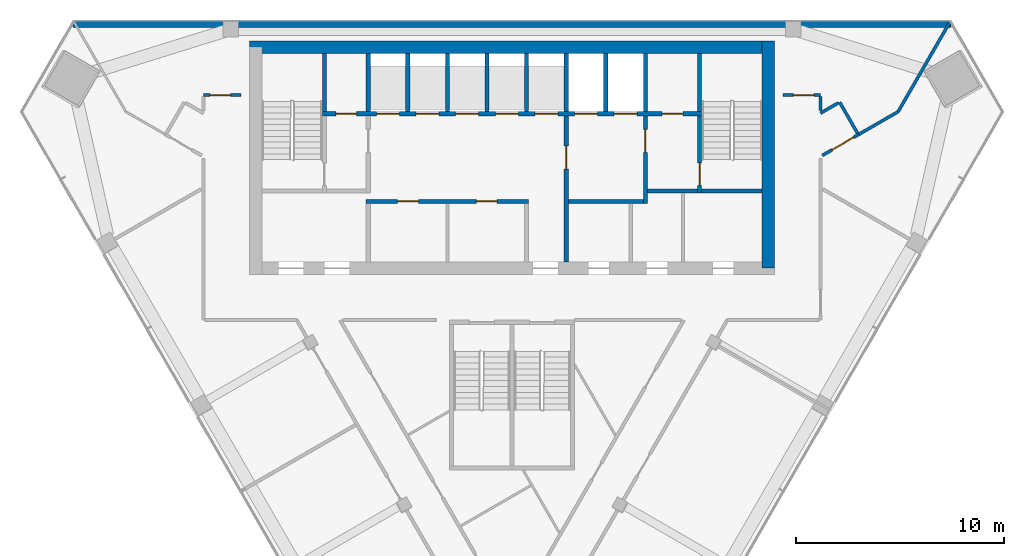
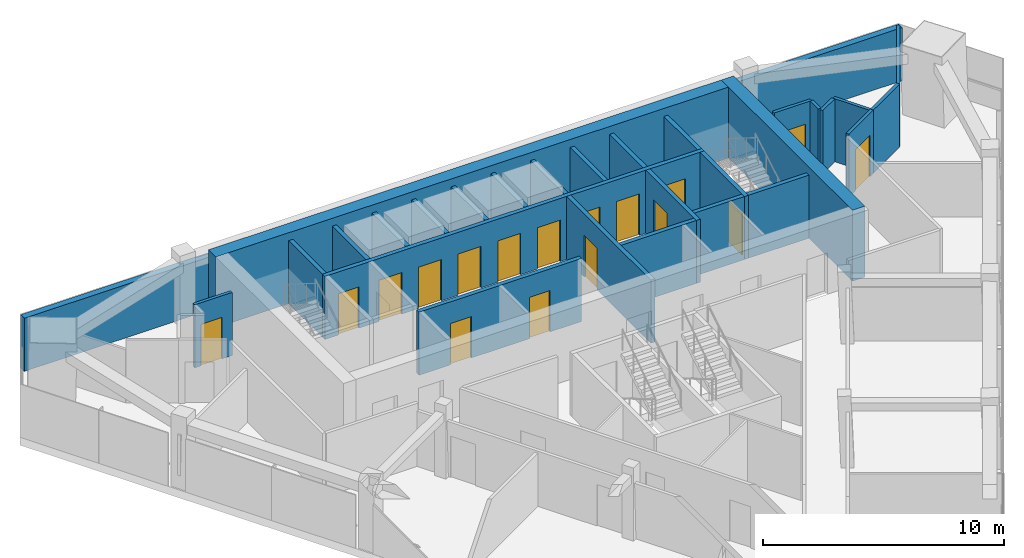
# One storey, part 9 of 12: 29 walls, 17 doors, 17 openings.
"""IFC4 building model written with IfcOpenShell, lengths in metres."""

from ifc_helpers import new_model, si_unit, direction, frame, frame_2d, origin, place, context, subcontext, project, spatial, rectangle, extrude, material, layer, layer_set, type_object, element, fill, save


model = new_model("IFC4")

# Units and contexts
model_context = context("Model", 3, precision=1e-05, world=origin(), true_north=direction((0.0, 1.0)))
body_context = subcontext(model_context, "Body", "Model", "MODEL_VIEW")
ifc_project = project(units=[si_unit("LENGTHUNIT", "METRE"), si_unit("AREAUNIT", "SQUARE_METRE"), si_unit("VOLUMEUNIT", "CUBIC_METRE"), si_unit("PLANEANGLEUNIT", "RADIAN"), si_unit("MASSUNIT", "GRAM", prefix="KILO")], contexts=[model_context])

# Site, building, storey
site_placement = place(None, origin())
site = spatial("IfcSite", under=ifc_project, at=site_placement, CompositionType="ELEMENT")
building_placement = place(site_placement, origin())
building = spatial("IfcBuilding", under=site, at=building_placement, Name="Altiplano Prism Tower", CompositionType="ELEMENT")
storey_placement = place(building_placement, frame((0.0, 0.0, 257.199951171875)))
storey = spatial("IfcBuildingStorey", under=building, at=storey_placement, Name="L66", CompositionType="ELEMENT", Elevation=257.199951171875)

# Walls
ifc_material_1 = material(Name="Concrete C60/75", Category="concrete")
ifc_layer_1 = layer(ifc_material_1, 0.60009765625)
ifc_layer_set_1 = layer_set([ifc_layer_1], Name="Concrete C60/75")
wall_type_1 = type_object("IfcWallType", Name="Core wall 600", PredefinedType="SHEAR", material=ifc_layer_set_1)
wall_1_placement = place(storey_placement, frame((97.300048828125, 93.10009765625, 0.0), z_axis=(0.0, 0.0, 1.0), x_axis=(0.0, 1.0, 0.0)))
element("IfcWall", 1, at=wall_1_placement, inside=storey, type_object=wall_type_1, Name="Core wall E L66", PredefinedType="SHEAR", context=body_context, shape_type="SweptSolid", body=[
    extrude(rectangle(XDim=10.89990234375, YDim=0.60009765625, at=frame_2d((5.449951171875, 0.0))), origin(), (0.0, 0.0, 1.0), 3.60009765625),
])
wall_2_placement = place(storey_placement, frame((97.300048828125, 103.699951171875, 0.0), z_axis=(0.0, 0.0, 1.0), x_axis=(-1.0, 0.0, 0.0)))
element("IfcWall", 2, at=wall_2_placement, inside=storey, type_object=wall_type_1, Name="Core wall N L66", PredefinedType="SHEAR", context=body_context, shape_type="SweptSolid", body=[
    extrude(rectangle(XDim=24.900146484375, YDim=0.60009765625, at=frame_2d((12.4501953125, 0.0))), origin(), (0.0, 0.0, 1.0), 3.60009765625),
])

# Wall, opening, door
ifc_material_2 = material(Name="Plasterboard on steel stud", Category="steel")
ifc_layer_2 = layer(ifc_material_2, 0.14990234375)
ifc_layer_set_2 = layer_set([ifc_layer_2], Name="Plasterboard on steel stud")
wall_type_2 = type_object("IfcWallType", Name="Partition 150 corridor", PredefinedType="PARTITIONING", material=ifc_layer_set_2)
wall_3_placement = place(storey_placement, frame((99.885009765625, 98.5, 0.0), z_axis=(0.0, 0.0, 1.0), x_axis=(0.866010470582, 0.500025864173, 0.0)))
wall_3 = element("IfcWall", 3, at=wall_3_placement, inside=storey, type_object=wall_type_2, Name="Partition P06 L66 009", PredefinedType="PARTITIONING", context=body_context, shape_type="SweptSolid", body=[
    extrude(rectangle(XDim=2.02001953125, YDim=0.14990234375, at=frame_2d((1.010009765625, 0.0))), origin(), (0.0, 0.0, 1.0), 3.199951171875),
])
opening_1_placement = place(wall_3_placement, frame((0.537109375, 0.0, 0.0)))
opening_1 = element("IfcOpeningElement", 4, at=opening_1_placement, cuts=wall_3, Name="Opening D2134", PredefinedType="OPENING", context=body_context, shape_type="SweptSolid", body=[
    extrude(rectangle(XDim=1.199951171875, YDim=2.10009765625, at=frame_2d((0.60009765625, 1.050048828125))), frame((0.0, 0.08544921875, 0.0), z_axis=(0.0, -1.0, 0.0), x_axis=(1.0, 0.0, 0.0)), (0.0, 0.0, 1.0), 0.1708984375),
])
ifc_material_3 = material(Name="Timber", Category="wood")
door_type_1 = type_object("IfcDoorType", Name="Shared room door 1200 x 2100", OperationType="NOTDEFINED", PredefinedType="NOTDEFINED", material=ifc_material_3)
door_1_placement = place(opening_1_placement, origin())
door_1 = element("IfcDoor", 5, at=door_1_placement, inside=storey, type_object=door_type_1, Name="Door D2134", OperationType="SINGLE_SWING_RIGHT", OverallHeight=2.10009765625, OverallWidth=1.199951171875, PredefinedType="NOTDEFINED", context=body_context, shape_type="SweptSolid", body=[
    extrude(rectangle(XDim=1.199951171875, YDim=2.10009765625, at=frame_2d((0.60009765625, 1.050048828125))), frame((0.0, 0.02490234375, 0.0), z_axis=(0.0, -1.0, 0.0), x_axis=(1.0, 0.0, 0.0)), (0.0, 0.0, 1.0), 0.050048828125),
])
fill(opening_1, door_1)

wall_4_placement = place(storey_placement, frame((72.0, 101.39990234375, 0.0), z_axis=(0.0, 0.0, 1.0), x_axis=(-1.0, 0.0, 0.0)))
wall_4 = element("IfcWall", 6, at=wall_4_placement, inside=storey, type_object=wall_type_2, Name="Partition P06 L66 010", PredefinedType="PARTITIONING", context=body_context, shape_type="SweptSolid", body=[
    extrude(rectangle(XDim=1.800048828125, YDim=0.14990234375, at=frame_2d((0.89990234375, 0.0))), origin(), (0.0, 0.0, 1.0), 3.199951171875),
])
opening_2_placement = place(wall_4_placement, frame((0.49609375, 0.0, 0.0)))
opening_2 = element("IfcOpeningElement", 7, at=opening_2_placement, cuts=wall_4, Name="Opening D2135", PredefinedType="OPENING", context=body_context, shape_type="SweptSolid", body=[
    extrude(rectangle(XDim=1.0, YDim=2.10009765625, at=frame_2d((0.5, 1.050048828125))), frame((0.0, 0.08544921875, 0.0), z_axis=(0.0, -1.0, 0.0), x_axis=(1.0, 0.0, 0.0)), (0.0, 0.0, 1.0), 0.1708984375),
])
door_type_2 = type_object("IfcDoorType", Name="Room door 1000 x 2100", OperationType="NOTDEFINED", PredefinedType="NOTDEFINED", material=ifc_material_3)
door_2_placement = place(opening_2_placement, origin())
door_2 = element("IfcDoor", 8, at=door_2_placement, inside=storey, type_object=door_type_2, Name="Door D2135", OperationType="SINGLE_SWING_LEFT", OverallHeight=2.10009765625, OverallWidth=1.0, PredefinedType="NOTDEFINED", context=body_context, shape_type="SweptSolid", body=[
    extrude(rectangle(XDim=1.0, YDim=2.10009765625, at=frame_2d((0.5, 1.050048828125))), frame((0.0, 0.02490234375, 0.0), z_axis=(0.0, -1.0, 0.0), x_axis=(1.0, 0.0, 0.0)), (0.0, 0.0, 1.0), 0.050048828125),
])
fill(opening_2, door_2)

# Walls
wall_5_placement = place(storey_placement, frame((101.57958984375, 99.56494140625, 0.0), z_axis=(0.0, 0.0, 1.0), x_axis=(-0.500020560727, 0.866013532718, 0.0)))
element("IfcWall", 9, at=wall_5_placement, inside=storey, type_object=wall_type_2, Name="Partition P06 L66 014", PredefinedType="PARTITIONING", context=body_context, shape_type="SweptSolid", body=[
    extrude(rectangle(XDim=1.72509765625, YDim=0.14990234375, at=frame_2d((0.862548828125, 0.0))), origin(), (0.0, 0.0, 1.0), 3.199951171875),
])
wall_6_placement = place(storey_placement, frame((100.652099609375, 101.021240234375, 0.0), z_axis=(0.0, 0.0, 1.0), x_axis=(-0.866020293397, -0.500008851346, 0.0)))
element("IfcWall", 10, at=wall_6_placement, inside=storey, type_object=wall_type_2, Name="Partition P06 L66 015", PredefinedType="PARTITIONING", context=body_context, shape_type="SweptSolid", body=[
    extrude(rectangle(XDim=0.98388671875, YDim=0.14990234375, at=frame_2d((0.491943359375, 0.0))), origin(), (0.0, 0.0, 1.0), 3.199951171875),
])
wall_7_placement = place(storey_placement, frame((99.800048828125, 100.659423828125, 0.0), z_axis=(0.0, 0.0, 1.0), x_axis=(0.0, 1.0, 0.0)))
element("IfcWall", 11, at=wall_7_placement, inside=storey, type_object=wall_type_2, Name="Partition P06 L66 016", PredefinedType="PARTITIONING", context=body_context, shape_type="SweptSolid", body=[
    extrude(rectangle(XDim=0.66552734375, YDim=0.14990234375, at=frame_2d((0.332763671875, 0.0))), origin(), (0.0, 0.0, 1.0), 3.199951171875),
])

# Wall, opening, door
wall_8_placement = place(storey_placement, frame((99.800048828125, 101.39990234375, 0.0), z_axis=(0.0, 0.0, 1.0), x_axis=(-1.0, 0.0, 0.0)))
wall_8 = element("IfcWall", 12, at=wall_8_placement, inside=storey, type_object=wall_type_2, Name="Partition P06 L66 017", PredefinedType="PARTITIONING", context=body_context, shape_type="SweptSolid", body=[
    extrude(rectangle(XDim=1.800048828125, YDim=0.14990234375, at=frame_2d((0.89990234375, 0.0))), origin(), (0.0, 0.0, 1.0), 3.199951171875),
])
opening_3_placement = place(wall_8_placement, frame((0.303955078125, 0.0, 0.0)))
opening_3 = element("IfcOpeningElement", 13, at=opening_3_placement, cuts=wall_8, Name="Opening D2136", PredefinedType="OPENING", context=body_context, shape_type="SweptSolid", body=[
    extrude(rectangle(XDim=1.0, YDim=2.10009765625, at=frame_2d((0.5, 1.050048828125))), frame((0.0, 0.08544921875, 0.0), z_axis=(0.0, -1.0, 0.0), x_axis=(1.0, 0.0, 0.0)), (0.0, 0.0, 1.0), 0.1708984375),
])
door_type_3 = type_object("IfcDoorType", Name="Store door 1000 x 2100", OperationType="NOTDEFINED", PredefinedType="NOTDEFINED", material=ifc_material_3)
door_3_placement = place(opening_3_placement, origin())
door_3 = element("IfcDoor", 14, at=door_3_placement, inside=storey, type_object=door_type_3, Name="Door D2136", OperationType="SINGLE_SWING_RIGHT", OverallHeight=2.10009765625, OverallWidth=1.0, PredefinedType="NOTDEFINED", context=body_context, shape_type="SweptSolid", body=[
    extrude(rectangle(XDim=1.0, YDim=2.10009765625, at=frame_2d((0.5, 1.050048828125))), frame((0.0, 0.02490234375, 0.0), z_axis=(0.0, -1.0, 0.0), x_axis=(1.0, 0.0, 0.0)), (0.0, 0.0, 1.0), 0.050048828125),
])
fill(opening_3, door_3)

# Walls
ifc_layer_3 = layer(ifc_material_2, 0.14990234375)
ifc_layer_set_3 = layer_set([ifc_layer_3], Name="Plasterboard on steel stud")
wall_type_3 = type_object("IfcWallType", Name="Partition 150 party", PredefinedType="PARTITIONING", material=ifc_layer_set_3)
wall_9_placement = place(storey_placement, frame((106.00732421875, 104.89990234375, 0.0), z_axis=(0.0, 0.0, 1.0), x_axis=(-0.500012022864, -0.866018462269, 0.0)))
element("IfcWall", 15, at=wall_9_placement, inside=storey, type_object=wall_type_3, Name="Partition P01 L66 034", PredefinedType="PARTITIONING", context=body_context, shape_type="SweptSolid", body=[
    extrude(rectangle(XDim=4.962890625, YDim=0.14990234375, at=frame_2d((2.4814453125, 0.0))), origin(), (0.0, 0.0, 1.0), 2.699951171875),
])
wall_10_placement = place(storey_placement, frame((103.52587890625, 100.60205078125, 0.0), z_axis=(0.0, 0.0, 1.0), x_axis=(-0.866039875853, -0.499974932805, 0.0)))
element("IfcWall", 16, at=wall_10_placement, inside=storey, type_object=wall_type_3, Name="Partition P01 L66 035", PredefinedType="PARTITIONING", context=body_context, shape_type="SweptSolid", body=[
    extrude(rectangle(XDim=2.2041015625, YDim=0.14990234375, at=frame_2d((1.10205078125, 0.0))), origin(), (0.0, 0.0, 1.0), 3.199951171875),
])
ifc_layer_4 = layer(ifc_material_1, 0.199951171875)
ifc_layer_set_4 = layer_set([ifc_layer_4], Name="Concrete C60/75")
wall_type_4 = type_object("IfcWallType", Name="Shaft wall 200", PredefinedType="SOLIDWALL", material=ifc_layer_set_4)
for number, where, z_axis, x_axis, name in (
    (17, (78.10009765625, 100.60009765625, 0.0), (0.0, 0.0, 1.0), (0.0, 1.0, 0.0), "Shaft wall L66"),
    (18, (80.0, 100.60009765625, 0.0), (0.0, 0.0, 1.0), (0.0, 1.0, 0.0), "Shaft wall L66"),
    (19, (81.89990234375, 100.60009765625, 0.0), (0.0, 0.0, 1.0), (0.0, 1.0, 0.0), "Shaft wall L66"),
    (20, (83.800048828125, 100.60009765625, 0.0), (0.0, 0.0, 1.0), (0.0, 1.0, 0.0), "Shaft wall L66"),
    (21, (85.699951171875, 100.60009765625, 0.0), (0.0, 0.0, 1.0), (0.0, 1.0, 0.0), "Shaft wall L66"),
    (22, (87.60009765625, 100.60009765625, 0.0), (0.0, 0.0, 1.0), (0.0, 1.0, 0.0), "Shaft wall L66"),
    (23, (89.5, 100.60009765625, 0.0), (0.0, 0.0, 1.0), (0.0, 1.0, 0.0), "Shaft wall L66"),
    (24, (91.39990234375, 100.60009765625, 0.0), (0.0, 0.0, 1.0), (0.0, 1.0, 0.0), "Shaft wall L66"),
):
    element("IfcWall", number, at=place(storey_placement, frame(where, z_axis=z_axis, x_axis=x_axis)), inside=storey, type_object=wall_type_4, Name=name, PredefinedType="SOLIDWALL", context=body_context, shape_type="SweptSolid", body=[
        extrude(rectangle(XDim=2.7998046875, YDim=0.199951171875, at=frame_2d((1.39990234375, 0.0))), origin(), (0.0, 0.0, 1.0), 3.199951171875),
    ])

# Wall, opening, door
ifc_layer_5 = layer(ifc_material_1, 0.199951171875)
ifc_layer_set_5 = layer_set([ifc_layer_5], Name="Concrete C60/75")
wall_type_5 = type_object("IfcWallType", Name="Stair wall 200", PredefinedType="SOLIDWALL", material=ifc_layer_set_5)
wall_11_placement = place(storey_placement, frame((94.0, 96.699951171875, 0.0), z_axis=(0.0, 0.0, 1.0), x_axis=(0.0, 1.0, 0.0)))
wall_11 = element("IfcWall", 25, at=wall_11_placement, inside=storey, type_object=wall_type_5, Name="Stair wall L66", PredefinedType="SOLIDWALL", context=body_context, shape_type="SweptSolid", body=[
    extrude(rectangle(XDim=3.699951171875, YDim=0.199951171875, at=frame_2d((1.85009765625, 0.0))), origin(), (0.0, 0.0, 1.0), 3.199951171875),
])
opening_4_placement = place(wall_11_placement, frame((0.35009765625, 0.0, 0.0)))
opening_4 = element("IfcOpeningElement", 26, at=opening_4_placement, cuts=wall_11, Name="Opening D3503", PredefinedType="OPENING", context=body_context, shape_type="SweptSolid", body=[
    extrude(rectangle(XDim=1.10009765625, YDim=2.10009765625, at=frame_2d((0.550048828125, 1.050048828125))), frame((0.0, 0.1103515625, 0.0), z_axis=(0.0, -1.0, 0.0), x_axis=(1.0, 0.0, 0.0)), (0.0, 0.0, 1.0), 0.220947265625),
])
ifc_material_4 = material(Name="Fire-rated steel door", Category="steel")
door_type_4 = type_object("IfcDoorType", Name="Stair fire door 1100 x 2100", OperationType="NOTDEFINED", PredefinedType="NOTDEFINED", material=ifc_material_4)
door_4_placement = place(opening_4_placement, origin())
door_4 = element("IfcDoor", 27, at=door_4_placement, inside=storey, type_object=door_type_4, Name="Stair fire door D3503", OperationType="SINGLE_SWING_LEFT", OverallHeight=2.10009765625, OverallWidth=1.10009765625, PredefinedType="NOTDEFINED", context=body_context, shape_type="SweptSolid", body=[
    extrude(rectangle(XDim=1.10009765625, YDim=2.10009765625, at=frame_2d((0.550048828125, 1.050048828125))), frame((0.0, 0.02490234375, 0.0), z_axis=(0.0, -1.0, 0.0), x_axis=(1.0, 0.0, 0.0)), (0.0, 0.0, 1.0), 0.050048828125),
])
fill(opening_4, door_4)

# Wall
wall_12_placement = place(storey_placement, frame((94.10009765625, 96.800048828125, 0.0), z_axis=(0.0, 0.0, 1.0), x_axis=(1.0, 0.0, 0.0)))
element("IfcWall", 28, at=wall_12_placement, inside=storey, type_object=wall_type_5, Name="Stair wall L66", PredefinedType="SOLIDWALL", context=body_context, shape_type="SweptSolid", body=[
    extrude(rectangle(XDim=2.89990234375, YDim=0.199951171875, at=frame_2d((1.449951171875, 0.0))), origin(), (0.0, 0.0, 1.0), 3.199951171875),
])

# Wall, openings, doors
wall_13_placement = place(storey_placement, frame((75.89990234375, 100.5, 0.0), z_axis=(0.0, 0.0, 1.0), x_axis=(1.0, 0.0, 0.0)))
wall_13 = element("IfcWall", 29, at=wall_13_placement, inside=storey, type_object=wall_type_5, Name="Stair wall L66", PredefinedType="SOLIDWALL", context=body_context, shape_type="SweptSolid", body=[
    extrude(rectangle(XDim=18.2001953125, YDim=0.199951171875, at=frame_2d((9.10009765625, 0.0))), origin(), (0.0, 0.0, 1.0), 3.199951171875),
])
opening_5_placement = place(wall_13_placement, frame((2.60009765625, 0.0, 0.0)))
opening_5 = element("IfcOpeningElement", 30, at=opening_5_placement, cuts=wall_13, Name="Opening LD-HL1-L66", PredefinedType="OPENING", context=body_context, shape_type="SweptSolid", body=[
    extrude(rectangle(XDim=1.10009765625, YDim=2.10009765625, at=frame_2d((0.550048828125, 1.050048828125))), frame((0.0, 0.1103515625, 0.0), z_axis=(0.0, -1.0, 0.0), x_axis=(1.0, 0.0, 0.0)), (0.0, 0.0, 1.0), 0.220947265625),
])
opening_6_placement = place(wall_13_placement, frame((4.5, 0.0, 0.0)))
opening_6 = element("IfcOpeningElement", 31, at=opening_6_placement, cuts=wall_13, Name="Opening LD-HL2-L66", PredefinedType="OPENING", context=body_context, shape_type="SweptSolid", body=[
    extrude(rectangle(XDim=1.10009765625, YDim=2.10009765625, at=frame_2d((0.550048828125, 1.050048828125))), frame((0.0, 0.1103515625, 0.0), z_axis=(0.0, -1.0, 0.0), x_axis=(1.0, 0.0, 0.0)), (0.0, 0.0, 1.0), 0.220947265625),
])
opening_7_placement = place(wall_13_placement, frame((6.39990234375, 0.0, 0.0)))
opening_7 = element("IfcOpeningElement", 32, at=opening_7_placement, cuts=wall_13, Name="Opening LD-HL3-L66", PredefinedType="OPENING", context=body_context, shape_type="SweptSolid", body=[
    extrude(rectangle(XDim=1.10009765625, YDim=2.10009765625, at=frame_2d((0.550048828125, 1.050048828125))), frame((0.0, 0.1103515625, 0.0), z_axis=(0.0, -1.0, 0.0), x_axis=(1.0, 0.0, 0.0)), (0.0, 0.0, 1.0), 0.220947265625),
])
opening_8_placement = place(wall_13_placement, frame((8.300048828125, 0.0, 0.0)))
opening_8 = element("IfcOpeningElement", 33, at=opening_8_placement, cuts=wall_13, Name="Opening LD-HL4-L66", PredefinedType="OPENING", context=body_context, shape_type="SweptSolid", body=[
    extrude(rectangle(XDim=1.10009765625, YDim=2.10009765625, at=frame_2d((0.550048828125, 1.050048828125))), frame((0.0, 0.1103515625, 0.0), z_axis=(0.0, -1.0, 0.0), x_axis=(1.0, 0.0, 0.0)), (0.0, 0.0, 1.0), 0.220947265625),
])
opening_9_placement = place(wall_13_placement, frame((10.199951171875, 0.0, 0.0)))
opening_9 = element("IfcOpeningElement", 34, at=opening_9_placement, cuts=wall_13, Name="Opening LD-HL5-L66", PredefinedType="OPENING", context=body_context, shape_type="SweptSolid", body=[
    extrude(rectangle(XDim=1.10009765625, YDim=2.10009765625, at=frame_2d((0.550048828125, 1.050048828125))), frame((0.0, 0.1103515625, 0.0), z_axis=(0.0, -1.0, 0.0), x_axis=(1.0, 0.0, 0.0)), (0.0, 0.0, 1.0), 0.220947265625),
])
opening_10_placement = place(wall_13_placement, frame((12.10009765625, 0.0, 0.0)))
opening_10 = element("IfcOpeningElement", 35, at=opening_10_placement, cuts=wall_13, Name="Opening LD-FF1-L66", PredefinedType="OPENING", context=body_context, shape_type="SweptSolid", body=[
    extrude(rectangle(XDim=1.10009765625, YDim=2.10009765625, at=frame_2d((0.550048828125, 1.050048828125))), frame((0.0, 0.1103515625, 0.0), z_axis=(0.0, -1.0, 0.0), x_axis=(1.0, 0.0, 0.0)), (0.0, 0.0, 1.0), 0.220947265625),
])
opening_11_placement = place(wall_13_placement, frame((14.0, 0.0, 0.0)))
opening_11 = element("IfcOpeningElement", 36, at=opening_11_placement, cuts=wall_13, Name="Opening LD-FF2-L66", PredefinedType="OPENING", context=body_context, shape_type="SweptSolid", body=[
    extrude(rectangle(XDim=1.10009765625, YDim=2.10009765625, at=frame_2d((0.550048828125, 1.050048828125))), frame((0.0, 0.1103515625, 0.0), z_axis=(0.0, -1.0, 0.0), x_axis=(1.0, 0.0, 0.0)), (0.0, 0.0, 1.0), 0.220947265625),
])
opening_12_placement = place(wall_13_placement, frame((0.64990234375, 0.0, 0.0)))
opening_12 = element("IfcOpeningElement", 37, at=opening_12_placement, cuts=wall_13, Name="Opening D3510", PredefinedType="OPENING", context=body_context, shape_type="SweptSolid", body=[
    extrude(rectangle(XDim=1.0, YDim=2.10009765625, at=frame_2d((0.5, 1.050048828125))), frame((0.0, 0.1103515625, 0.0), z_axis=(0.0, -1.0, 0.0), x_axis=(1.0, 0.0, 0.0)), (0.0, 0.0, 1.0), 0.220947265625),
])
opening_13_placement = place(wall_13_placement, frame((16.300048828125, 0.0, 0.0)))
opening_13 = element("IfcOpeningElement", 38, at=opening_13_placement, cuts=wall_13, Name="Opening D3511", PredefinedType="OPENING", context=body_context, shape_type="SweptSolid", body=[
    extrude(rectangle(XDim=1.0, YDim=2.10009765625, at=frame_2d((0.5, 1.050048828125))), frame((0.0, 0.1103515625, 0.0), z_axis=(0.0, -1.0, 0.0), x_axis=(1.0, 0.0, 0.0)), (0.0, 0.0, 1.0), 0.220947265625),
])
door_type_5 = type_object("IfcDoorType", Name="Core room door 1000 x 2100", OperationType="NOTDEFINED", PredefinedType="NOTDEFINED", material=ifc_material_4)
door_5_placement = place(opening_12_placement, origin())
door_5 = element("IfcDoor", 39, at=door_5_placement, inside=storey, type_object=door_type_5, Name="Core room door D3510", OperationType="SINGLE_SWING_LEFT", OverallHeight=2.10009765625, OverallWidth=1.0, PredefinedType="NOTDEFINED", context=body_context, shape_type="SweptSolid", body=[
    extrude(rectangle(XDim=1.0, YDim=2.10009765625, at=frame_2d((0.5, 1.050048828125))), frame((0.0, 0.02490234375, 0.0), z_axis=(0.0, -1.0, 0.0), x_axis=(1.0, 0.0, 0.0)), (0.0, 0.0, 1.0), 0.050048828125),
])
fill(opening_12, door_5)
door_6_placement = place(opening_13_placement, origin())
door_6 = element("IfcDoor", 40, at=door_6_placement, inside=storey, type_object=door_type_5, Name="Core room door D3511", OperationType="SINGLE_SWING_RIGHT", OverallHeight=2.10009765625, OverallWidth=1.0, PredefinedType="NOTDEFINED", context=body_context, shape_type="SweptSolid", body=[
    extrude(rectangle(XDim=1.0, YDim=2.10009765625, at=frame_2d((0.5, 1.050048828125))), frame((0.0, 0.02490234375, 0.0), z_axis=(0.0, -1.0, 0.0), x_axis=(1.0, 0.0, 0.0)), (0.0, 0.0, 1.0), 0.050048828125),
])
fill(opening_13, door_6)
ifc_material_5 = material(Name="Stainless steel landing door", Category="steel")
door_type_6 = type_object("IfcDoorType", Name="Landing door 1100 x 2100", OperationType="NOTDEFINED", PredefinedType="NOTDEFINED", material=ifc_material_5)
door_7_placement = place(opening_5_placement, origin())
door_7 = element("IfcDoor", 41, at=door_7_placement, inside=storey, type_object=door_type_6, Name="Landing doors HL1", OperationType="SLIDING_TO_RIGHT", OverallHeight=2.10009765625, OverallWidth=1.10009765625, PredefinedType="NOTDEFINED", context=body_context, shape_type="SweptSolid", body=[
    extrude(rectangle(XDim=1.10009765625, YDim=2.10009765625, at=frame_2d((0.550048828125, 1.050048828125))), frame((0.0, 0.02490234375, 0.0), z_axis=(0.0, -1.0, 0.0), x_axis=(1.0, 0.0, 0.0)), (0.0, 0.0, 1.0), 0.050048828125),
])
fill(opening_5, door_7)
door_8_placement = place(opening_6_placement, origin())
door_8 = element("IfcDoor", 42, at=door_8_placement, inside=storey, type_object=door_type_6, Name="Landing doors HL2", OperationType="SLIDING_TO_LEFT", OverallHeight=2.10009765625, OverallWidth=1.10009765625, PredefinedType="NOTDEFINED", context=body_context, shape_type="SweptSolid", body=[
    extrude(rectangle(XDim=1.10009765625, YDim=2.10009765625, at=frame_2d((0.550048828125, 1.050048828125))), frame((0.0, 0.02490234375, 0.0), z_axis=(0.0, -1.0, 0.0), x_axis=(1.0, 0.0, 0.0)), (0.0, 0.0, 1.0), 0.050048828125),
])
fill(opening_6, door_8)
door_9_placement = place(opening_7_placement, origin())
door_9 = element("IfcDoor", 43, at=door_9_placement, inside=storey, type_object=door_type_6, Name="Landing doors HL3", OperationType="SLIDING_TO_RIGHT", OverallHeight=2.10009765625, OverallWidth=1.10009765625, PredefinedType="NOTDEFINED", context=body_context, shape_type="SweptSolid", body=[
    extrude(rectangle(XDim=1.10009765625, YDim=2.10009765625, at=frame_2d((0.550048828125, 1.050048828125))), frame((0.0, 0.02490234375, 0.0), z_axis=(0.0, -1.0, 0.0), x_axis=(1.0, 0.0, 0.0)), (0.0, 0.0, 1.0), 0.050048828125),
])
fill(opening_7, door_9)
door_10_placement = place(opening_8_placement, origin())
door_10 = element("IfcDoor", 44, at=door_10_placement, inside=storey, type_object=door_type_6, Name="Landing doors HL4", OperationType="SLIDING_TO_LEFT", OverallHeight=2.10009765625, OverallWidth=1.10009765625, PredefinedType="NOTDEFINED", context=body_context, shape_type="SweptSolid", body=[
    extrude(rectangle(XDim=1.10009765625, YDim=2.10009765625, at=frame_2d((0.550048828125, 1.050048828125))), frame((0.0, 0.02490234375, 0.0), z_axis=(0.0, -1.0, 0.0), x_axis=(1.0, 0.0, 0.0)), (0.0, 0.0, 1.0), 0.050048828125),
])
fill(opening_8, door_10)
door_11_placement = place(opening_9_placement, origin())
door_11 = element("IfcDoor", 45, at=door_11_placement, inside=storey, type_object=door_type_6, Name="Landing doors HL5", OperationType="SLIDING_TO_RIGHT", OverallHeight=2.10009765625, OverallWidth=1.10009765625, PredefinedType="NOTDEFINED", context=body_context, shape_type="SweptSolid", body=[
    extrude(rectangle(XDim=1.10009765625, YDim=2.10009765625, at=frame_2d((0.550048828125, 1.050048828125))), frame((0.0, 0.02490234375, 0.0), z_axis=(0.0, -1.0, 0.0), x_axis=(1.0, 0.0, 0.0)), (0.0, 0.0, 1.0), 0.050048828125),
])
fill(opening_9, door_11)
door_12_placement = place(opening_10_placement, origin())
door_12 = element("IfcDoor", 46, at=door_12_placement, inside=storey, type_object=door_type_6, Name="Landing doors FF1", OperationType="SLIDING_TO_RIGHT", OverallHeight=2.10009765625, OverallWidth=1.10009765625, PredefinedType="NOTDEFINED", context=body_context, shape_type="SweptSolid", body=[
    extrude(rectangle(XDim=1.10009765625, YDim=2.10009765625, at=frame_2d((0.550048828125, 1.050048828125))), frame((0.0, 0.02490234375, 0.0), z_axis=(0.0, -1.0, 0.0), x_axis=(1.0, 0.0, 0.0)), (0.0, 0.0, 1.0), 0.050048828125),
])
fill(opening_10, door_12)
door_13_placement = place(opening_11_placement, origin())
door_13 = element("IfcDoor", 47, at=door_13_placement, inside=storey, type_object=door_type_6, Name="Landing doors FF2", OperationType="SLIDING_TO_LEFT", OverallHeight=2.10009765625, OverallWidth=1.10009765625, PredefinedType="NOTDEFINED", context=body_context, shape_type="SweptSolid", body=[
    extrude(rectangle(XDim=1.10009765625, YDim=2.10009765625, at=frame_2d((0.550048828125, 1.050048828125))), frame((0.0, 0.02490234375, 0.0), z_axis=(0.0, -1.0, 0.0), x_axis=(1.0, 0.0, 0.0)), (0.0, 0.0, 1.0), 0.050048828125),
])
fill(opening_11, door_13)

# Walls
for number, where, z_axis, x_axis, name in (
    (48, (76.0, 100.60009765625, 0.0), (0.0, 0.0, 1.0), (0.0, 1.0, 0.0), "Stair wall L66"),
    (49, (94.0, 100.60009765625, 0.0), (0.0, 0.0, 1.0), (0.0, 1.0, 0.0), "Stair wall L66"),
):
    element("IfcWall", number, at=place(storey_placement, frame(where, z_axis=z_axis, x_axis=x_axis)), inside=storey, type_object=wall_type_5, Name=name, PredefinedType="SOLIDWALL", context=body_context, shape_type="SweptSolid", body=[
        extrude(rectangle(XDim=2.7998046875, YDim=0.199951171875, at=frame_2d((1.39990234375, 0.0))), origin(), (0.0, 0.0, 1.0), 3.199951171875),
    ])
ifc_material_6 = material(Name="Concrete C40", Category="concrete")
ifc_layer_6 = layer(ifc_material_6, 0.300048828125)
ifc_layer_set_6 = layer_set([ifc_layer_6], Name="Concrete C40")
wall_type_6 = type_object("IfcWallType", Name="Stone-clad external wall 300", PredefinedType="SOLIDWALL", material=ifc_layer_set_6)
wall_14_placement = place(storey_placement, frame((63.934814453125, 104.7900390625, 0.0), z_axis=(0.0, 0.0, 1.0), x_axis=(1.0, 0.0, 0.0)))
element("IfcWall", 50, at=wall_14_placement, inside=storey, type_object=wall_type_6, Name="External wall north face L66", PredefinedType="SOLIDWALL", context=body_context, shape_type="SweptSolid", body=[
    extrude(rectangle(XDim=42.13037109375, YDim=0.300048828125, at=frame_2d((21.065185546875, 0.0))), origin(), (0.0, 0.0, 1.0), 2.699951171875),
])

# Wall, opening, door
ifc_layer_7 = layer(ifc_material_1, 0.199951171875)
ifc_layer_set_7 = layer_set([ifc_layer_7], Name="Concrete C60/75")
wall_type_7 = type_object("IfcWallType", Name="Vestibule wall 200", PredefinedType="PARTITIONING", material=ifc_layer_set_7)
wall_15_placement = place(storey_placement, frame((87.60009765625, 93.39990234375, 0.0), z_axis=(0.0, 0.0, 1.0), x_axis=(0.0, 1.0, 0.0)))
wall_15 = element("IfcWall", 51, at=wall_15_placement, inside=storey, type_object=wall_type_7, Name="Vestibule wall L66", PredefinedType="PARTITIONING", context=body_context, shape_type="SweptSolid", body=[
    extrude(rectangle(XDim=7.0, YDim=0.199951171875, at=frame_2d((3.5, 0.0))), origin(), (0.0, 0.0, 1.0), 3.199951171875),
])
opening_14_placement = place(wall_15_placement, frame((4.449951171875, 0.0, 0.0)))
opening_14 = element("IfcOpeningElement", 52, at=opening_14_placement, cuts=wall_15, Name="Opening D3505", PredefinedType="OPENING", context=body_context, shape_type="SweptSolid", body=[
    extrude(rectangle(XDim=1.10009765625, YDim=2.10009765625, at=frame_2d((0.550048828125, 1.050048828125))), frame((0.0, 0.1103515625, 0.0), z_axis=(0.0, -1.0, 0.0), x_axis=(1.0, 0.0, 0.0)), (0.0, 0.0, 1.0), 0.220947265625),
])
door_type_7 = type_object("IfcDoorType", Name="Vestibule fire door 1100 x 2100", OperationType="NOTDEFINED", PredefinedType="NOTDEFINED", material=ifc_material_4)
door_14_placement = place(opening_14_placement, origin())
door_14 = element("IfcDoor", 53, at=door_14_placement, inside=storey, type_object=door_type_7, Name="Vestibule fire door D3505", OperationType="SINGLE_SWING_RIGHT", OverallHeight=2.10009765625, OverallWidth=1.10009765625, PredefinedType="NOTDEFINED", context=body_context, shape_type="SweptSolid", body=[
    extrude(rectangle(XDim=1.10009765625, YDim=2.10009765625, at=frame_2d((0.550048828125, 1.050048828125))), frame((0.0, 0.02490234375, 0.0), z_axis=(0.0, -1.0, 0.0), x_axis=(1.0, 0.0, 0.0)), (0.0, 0.0, 1.0), 0.050048828125),
])
fill(opening_14, door_14)

# Wall, openings, doors
wall_16_placement = place(storey_placement, frame((78.0, 96.300048828125, 0.0), z_axis=(0.0, 0.0, 1.0), x_axis=(1.0, 0.0, 0.0)))
wall_16 = element("IfcWall", 54, at=wall_16_placement, inside=storey, type_object=wall_type_7, Name="Vestibule wall L66", PredefinedType="PARTITIONING", context=body_context, shape_type="SweptSolid", body=[
    extrude(rectangle(XDim=7.800048828125, YDim=0.199951171875, at=frame_2d((3.89990234375, 0.0))), origin(), (0.0, 0.0, 1.0), 3.199951171875),
])
opening_15_placement = place(wall_16_placement, frame((1.512451171875, 0.0, 0.0)))
opening_15 = element("IfcOpeningElement", 55, at=opening_15_placement, cuts=wall_16, Name="Opening D3515", PredefinedType="OPENING", context=body_context, shape_type="SweptSolid", body=[
    extrude(rectangle(XDim=1.0, YDim=2.10009765625, at=frame_2d((0.5, 1.050048828125))), frame((0.0, 0.1103515625, 0.0), z_axis=(0.0, -1.0, 0.0), x_axis=(1.0, 0.0, 0.0)), (0.0, 0.0, 1.0), 0.220947265625),
])
opening_16_placement = place(wall_16_placement, frame((5.28759765625, 0.0, 0.0)))
opening_16 = element("IfcOpeningElement", 56, at=opening_16_placement, cuts=wall_16, Name="Opening D3516", PredefinedType="OPENING", context=body_context, shape_type="SweptSolid", body=[
    extrude(rectangle(XDim=1.0, YDim=2.10009765625, at=frame_2d((0.5, 1.050048828125))), frame((0.0, 0.1103515625, 0.0), z_axis=(0.0, -1.0, 0.0), x_axis=(1.0, 0.0, 0.0)), (0.0, 0.0, 1.0), 0.220947265625),
])
door_15_placement = place(opening_15_placement, origin())
door_15 = element("IfcDoor", 57, at=door_15_placement, inside=storey, type_object=door_type_5, Name="Core room door D3515", OperationType="SINGLE_SWING_RIGHT", OverallHeight=2.10009765625, OverallWidth=1.0, PredefinedType="NOTDEFINED", context=body_context, shape_type="SweptSolid", body=[
    extrude(rectangle(XDim=1.0, YDim=2.10009765625, at=frame_2d((0.5, 1.050048828125))), frame((0.0, 0.02490234375, 0.0), z_axis=(0.0, -1.0, 0.0), x_axis=(1.0, 0.0, 0.0)), (0.0, 0.0, 1.0), 0.050048828125),
])
fill(opening_15, door_15)
door_16_placement = place(opening_16_placement, origin())
door_16 = element("IfcDoor", 58, at=door_16_placement, inside=storey, type_object=door_type_5, Name="Core room door D3516", OperationType="SINGLE_SWING_RIGHT", OverallHeight=2.10009765625, OverallWidth=1.0, PredefinedType="NOTDEFINED", context=body_context, shape_type="SweptSolid", body=[
    extrude(rectangle(XDim=1.0, YDim=2.10009765625, at=frame_2d((0.5, 1.050048828125))), frame((0.0, 0.02490234375, 0.0), z_axis=(0.0, -1.0, 0.0), x_axis=(1.0, 0.0, 0.0)), (0.0, 0.0, 1.0), 0.050048828125),
])
fill(opening_16, door_16)

# Wall
wall_17_placement = place(storey_placement, frame((87.699951171875, 96.300048828125, 0.0), z_axis=(0.0, 0.0, 1.0), x_axis=(1.0, 0.0, 0.0)))
element("IfcWall", 59, at=wall_17_placement, inside=storey, type_object=wall_type_7, Name="Vestibule wall L66", PredefinedType="PARTITIONING", context=body_context, shape_type="SweptSolid", body=[
    extrude(rectangle(XDim=3.60009765625, YDim=0.199951171875, at=frame_2d((1.800048828125, 0.0))), origin(), (0.0, 0.0, 1.0), 3.199951171875),
])

# Wall, opening, door
wall_18_placement = place(storey_placement, frame((91.39990234375, 96.199951171875, 0.0), z_axis=(0.0, 0.0, 1.0), x_axis=(0.0, 1.0, 0.0)))
wall_18 = element("IfcWall", 60, at=wall_18_placement, inside=storey, type_object=wall_type_7, Name="Vestibule wall L66", PredefinedType="PARTITIONING", context=body_context, shape_type="SweptSolid", body=[
    extrude(rectangle(XDim=4.199951171875, YDim=0.199951171875, at=frame_2d((2.10009765625, 0.0))), origin(), (0.0, 0.0, 1.0), 3.199951171875),
])
opening_17_placement = place(wall_18_placement, frame((2.449951171875, 0.0, 0.0)))
opening_17 = element("IfcOpeningElement", 61, at=opening_17_placement, cuts=wall_18, Name="Opening D3506", PredefinedType="OPENING", context=body_context, shape_type="SweptSolid", body=[
    extrude(rectangle(XDim=1.10009765625, YDim=2.10009765625, at=frame_2d((0.550048828125, 1.050048828125))), frame((0.0, 0.1103515625, 0.0), z_axis=(0.0, -1.0, 0.0), x_axis=(1.0, 0.0, 0.0)), (0.0, 0.0, 1.0), 0.220947265625),
])
door_17_placement = place(opening_17_placement, origin())
door_17 = element("IfcDoor", 62, at=door_17_placement, inside=storey, type_object=door_type_7, Name="Vestibule fire door D3506", OperationType="SINGLE_SWING_LEFT", OverallHeight=2.10009765625, OverallWidth=1.10009765625, PredefinedType="NOTDEFINED", context=body_context, shape_type="SweptSolid", body=[
    extrude(rectangle(XDim=1.10009765625, YDim=2.10009765625, at=frame_2d((0.550048828125, 1.050048828125))), frame((0.0, 0.02490234375, 0.0), z_axis=(0.0, -1.0, 0.0), x_axis=(1.0, 0.0, 0.0)), (0.0, 0.0, 1.0), 0.050048828125),
])
fill(opening_17, door_17)

# Wall
wall_19_placement = place(storey_placement, frame((91.5, 96.800048828125, 0.0), z_axis=(0.0, 0.0, 1.0), x_axis=(1.0, 0.0, 0.0)))
element("IfcWall", 63, at=wall_19_placement, inside=storey, type_object=wall_type_7, Name="Vestibule wall L66", PredefinedType="PARTITIONING", context=body_context, shape_type="SweptSolid", body=[
    extrude(rectangle(XDim=2.39990234375, YDim=0.199951171875, at=frame_2d((1.199951171875, 0.0))), origin(), (0.0, 0.0, 1.0), 3.199951171875),
])

save(model, "model.ifc")
